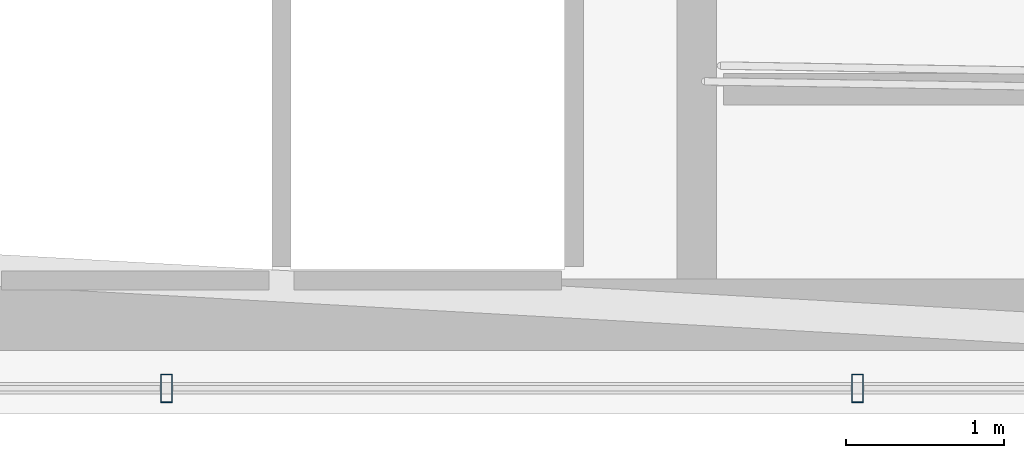
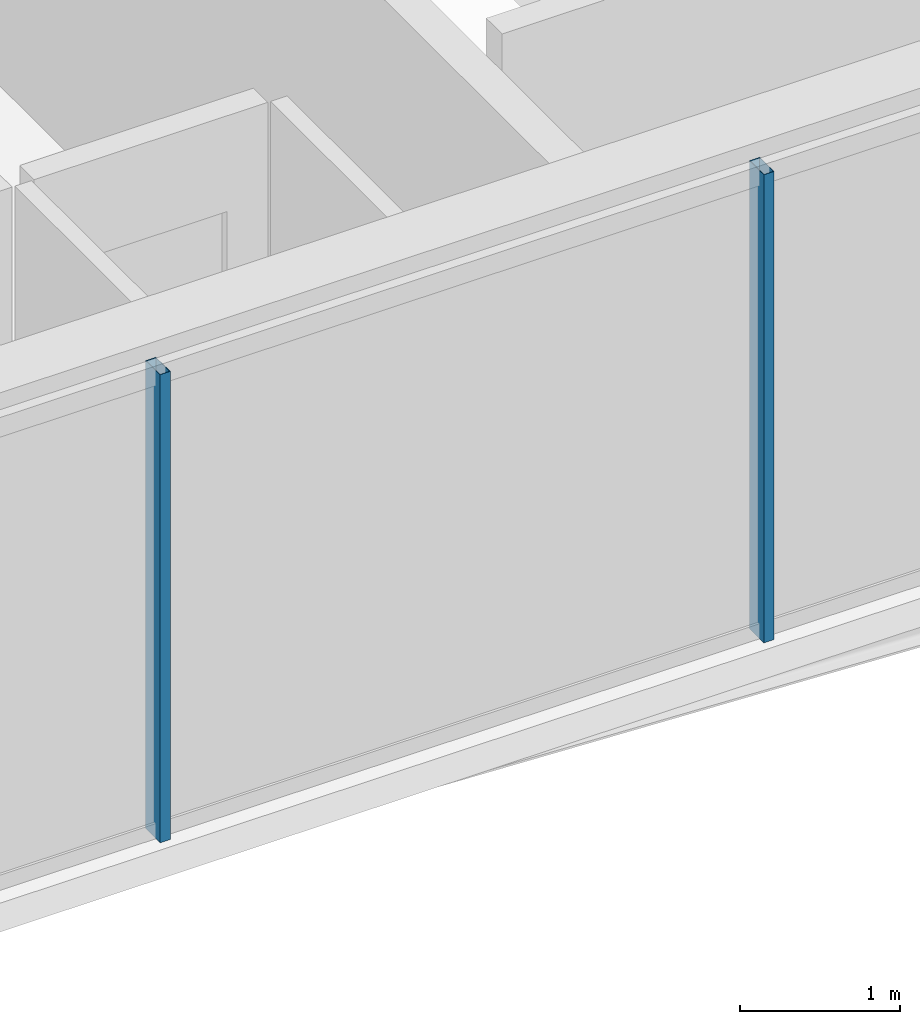
# One storey, part 6 of 33: 2 members, 1 element without a shape of its own.
"""IFC4 building model written with IfcOpenShell, lengths in metres."""

from ifc_helpers import new_model, si_unit, direction, frame, origin, origin_2d, place, context, subcontext, project, spatial, hollow_rectangle, extrude, material, layer, layer_set, material_profile, profile_set, type_object, element, aggregate, save


model = new_model("IFC4")

# Units and contexts
model_context = context("Model", 3, precision=1e-05, world=origin(), true_north=direction((0.0, 1.0)))
body_context = subcontext(model_context, "Body", "Model", "MODEL_VIEW")
ifc_project = project(units=[si_unit("LENGTHUNIT", "METRE"), si_unit("AREAUNIT", "SQUARE_METRE"), si_unit("VOLUMEUNIT", "CUBIC_METRE"), si_unit("PLANEANGLEUNIT", "RADIAN"), si_unit("MASSUNIT", "GRAM", prefix="KILO")], contexts=[model_context])

# Site, building, storey
site_placement = place(None, origin())
site = spatial("IfcSite", under=ifc_project, at=site_placement, CompositionType="ELEMENT")
building_placement = place(site_placement, origin())
building = spatial("IfcBuilding", under=site, at=building_placement, Name="Ndaravel Arena Tower", CompositionType="ELEMENT")
storey_placement = place(building_placement, frame((0.0, 0.0, 39.800048828125)))
storey = spatial("IfcBuildingStorey", under=building, at=storey_placement, Name="L07", CompositionType="ELEMENT", Elevation=39.800048828125)

# Curtain wall, members
ifc_material_1 = material(Name="Aluminium", Category="aluminium")
ifc_layer = layer(ifc_material_1, 0.179931640625)
ifc_layer_set = layer_set([ifc_layer], Name="Aluminium")
curtain_wall_type = type_object("IfcCurtainWallType", Name="CW-SYS-03", PredefinedType="NOTDEFINED", material=ifc_layer_set)
curtain_wall_placement = place(storey_placement, origin())
curtain_wall = element("IfcCurtainWall", 1, at=curtain_wall_placement, inside=storey, type_object=curtain_wall_type, Name="L07 Faceted Crystal Curtain Wall CW-L07-E01", PredefinedType="NOTDEFINED")
ifc_material_2 = material(Name="Aluminium", Category="aluminium")
ifc_material_profile = material_profile(ifc_material_2, hollow_rectangle(XDim=0.074951171875, YDim=0.179931640625, WallThickness=0.00390625, at=origin_2d()), Name="CW MULLION 75x180x4")
ifc_profile_set = profile_set([ifc_material_profile], Name="Aluminium")
member_type = type_object("IfcMemberType", Name="MEM-CW-MUL180", PredefinedType="MULLION", material=ifc_profile_set)
member_1_placement = place(storey_placement, frame((35.447998046875, 5.159912109375, 0.0), z_axis=(0.0, 0.0, 1.0), x_axis=(1.0, 0.0, 0.0)))
member_1 = element("IfcMember", 2, at=member_1_placement, type_object=member_type, Name="CW-L07-E01 Mullion 02", PredefinedType="MULLION", context=body_context, shape_type="SweptSolid", body=[
    extrude(hollow_rectangle(XDim=0.074951171875, YDim=0.179931640625, WallThickness=0.00390625, at=origin_2d()), origin(), (0.0, 0.0, 1.0), 3.579833984375),
])
member_2_placement = place(storey_placement, frame((39.81591796875, 5.159912109375, 0.0), z_axis=(0.0, 0.0, 1.0), x_axis=(1.0, 0.0, 0.0)))
member_2 = element("IfcMember", 3, at=member_2_placement, type_object=member_type, Name="CW-L07-E01 Mullion 03", PredefinedType="MULLION", context=body_context, shape_type="SweptSolid", body=[
    extrude(hollow_rectangle(XDim=0.074951171875, YDim=0.179931640625, WallThickness=0.00390625, at=origin_2d()), origin(), (0.0, 0.0, 1.0), 3.579833984375),
])
aggregate(curtain_wall, [member_1, member_2])

save(model, "model.ifc")
